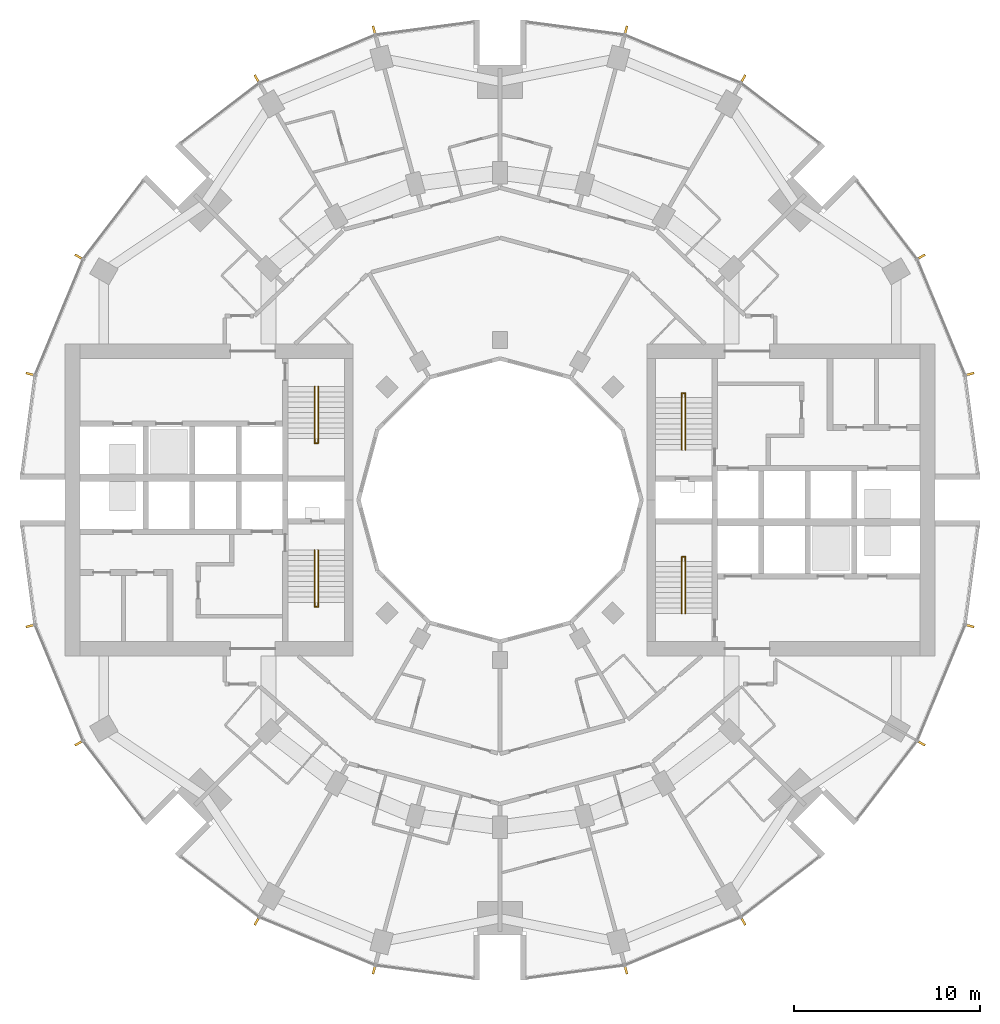
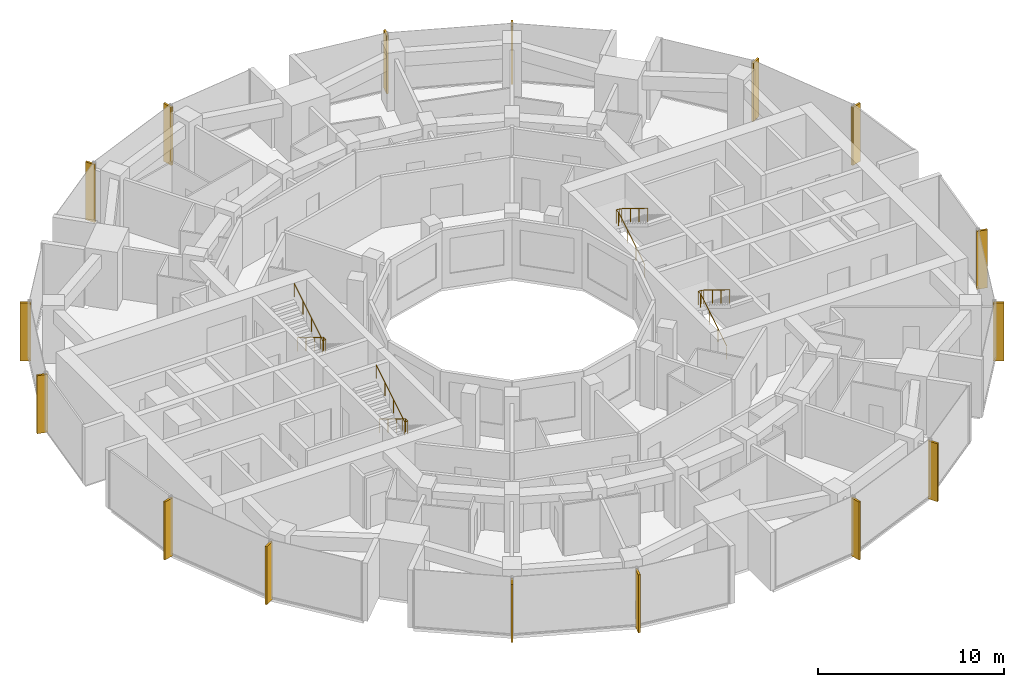
# One storey, part 14 of 15: 16 shading devices, 4 railings.
"""IFC4 building model written with IfcOpenShell, lengths in metres."""

from ifc_helpers import new_model, si_unit, direction, frame, origin, origin_2d, place, context, subcontext, project, spatial, rectangle, circle, extrude, material, material_profile, profile_set, type_object, element, save


model = new_model("IFC4")

# Units and contexts
model_context = context("Model", 3, precision=1e-05, world=origin(), true_north=direction((0.0, 1.0)))
body_context = subcontext(model_context, "Body", "Model", "MODEL_VIEW")
ifc_project = project(units=[si_unit("LENGTHUNIT", "METRE"), si_unit("AREAUNIT", "SQUARE_METRE"), si_unit("VOLUMEUNIT", "CUBIC_METRE"), si_unit("PLANEANGLEUNIT", "RADIAN"), si_unit("MASSUNIT", "GRAM", prefix="KILO")], contexts=[model_context])

# Site, building, storey
site_placement = place(None, origin())
site = spatial("IfcSite", under=ifc_project, at=site_placement, CompositionType="ELEMENT")
building_placement = place(site_placement, origin())
building = spatial("IfcBuilding", under=site, at=building_placement, Name="Torre Brocal", CompositionType="ELEMENT")
storey_placement = place(building_placement, frame((0.0, 0.0, 47.800048828125)))
storey = spatial("IfcBuildingStorey", under=building, at=storey_placement, Name="L10", CompositionType="ELEMENT", Elevation=47.800048828125)

# Shading devices
ifc_material_1 = material(Name="Aluminium, black anodised", Category="aluminium")
ifc_material_profile = material_profile(ifc_material_1, rectangle(XDim=0.1201171875, YDim=0.60009765625, at=origin_2d()), Name="FIN 120X600 3800 HIGH")
ifc_profile_set = profile_set([ifc_material_profile], Name="Aluminium, black anodised")
shading_device_type = type_object("IfcShadingDeviceType", Name="FIN 120X600 3800 HIGH", PredefinedType="USERDEFINED", material=ifc_profile_set)
for number, where, z_axis, x_axis, name in (
    (1, (105.208984375, 81.754638671875, -0.150146484375), (0.0, 0.0, 1.0), (-0.258819045103, 0.965925826289, 0.0), "FIN"),
    (2, (102.601806640625, 88.049072265625, -0.150146484375), (0.0, 0.0, 1.0), (-0.5, 0.866025403784, 0.0), "FIN"),
    (3, (93.049072265625, 97.601806640625, -0.150146484375), (0.0, 0.0, 1.0), (-0.866025403784, 0.5, 0.0), "FIN"),
    (4, (86.754638671875, 100.208984375, -0.150146484375), (0.0, 0.0, 1.0), (-0.965925826289, 0.258819045103, 0.0), "FIN"),
    (5, (73.245361328125, 100.208984375, -0.150146484375), (0.0, 0.0, 1.0), (-0.965925826289, -0.258819045103, 0.0), "FIN"),
    (6, (66.950927734375, 97.601806640625, -0.150146484375), (0.0, 0.0, 1.0), (-0.866025403784, -0.5, 0.0), "FIN"),
    (7, (57.398193359375, 88.049072265625, -0.150146484375), (0.0, 0.0, 1.0), (-0.5, -0.866025403784, 0.0), "FIN"),
    (8, (54.791015625, 81.754638671875, -0.150146484375), (0.0, 0.0, 1.0), (-0.258819045103, -0.965925826289, 0.0), "FIN"),
    (9, (54.791015625, 68.245361328125, -0.150146484375), (0.0, 0.0, 1.0), (0.258819045103, -0.965925826289, 0.0), "FIN"),
    (10, (57.398193359375, 61.950927734375, -0.150146484375), (0.0, 0.0, 1.0), (0.5, -0.866025403784, 0.0), "FIN"),
    (11, (66.950927734375, 52.398193359375, -0.150146484375), (0.0, 0.0, 1.0), (0.866025403784, -0.5, 0.0), "FIN"),
    (12, (73.245361328125, 49.791015625, -0.150146484375), (0.0, 0.0, 1.0), (0.965925826289, -0.258819045103, 0.0), "FIN"),
    (13, (86.754638671875, 49.791015625, -0.150146484375), (0.0, 0.0, 1.0), (0.965925826289, 0.258819045103, 0.0), "FIN"),
    (14, (93.049072265625, 52.398193359375, -0.150146484375), (0.0, 0.0, 1.0), (0.866025403784, 0.5, 0.0), "FIN"),
    (15, (102.601806640625, 61.950927734375, -0.150146484375), (0.0, 0.0, 1.0), (0.5, 0.866025403784, 0.0), "FIN"),
    (16, (105.208984375, 68.245361328125, -0.150146484375), (0.0, 0.0, 1.0), (0.258819045103, 0.965925826289, 0.0), "FIN"),
):
    element("IfcShadingDevice", number, at=place(storey_placement, frame(where, z_axis=z_axis, x_axis=x_axis)), inside=storey, type_object=shading_device_type, Name=name, ObjectType="FIN", PredefinedType="USERDEFINED", context=body_context, shape_type="SweptSolid", body=[
        extrude(rectangle(XDim=0.1201171875, YDim=0.60009765625, at=origin_2d()), origin(), (0.0, 0.0, 1.0), 3.800048828125),
    ])

# Railings
ifc_material_2 = material(Name="Stainless steel AISI 316", Category="steel")
railing_type = type_object("IfcRailingType", Name="STAIR HANDRAIL", PredefinedType="HANDRAIL", material=ifc_material_2)
railing_1_placement = place(storey_placement, frame((89.780029296875, 77.699951171875, 0.172607421875)))
element("IfcRailing", 17, at=railing_1_placement, inside=storey, type_object=railing_type, Name="HANDRAIL ST1", PredefinedType="HANDRAIL", context=body_context, shape_type="SweptSolid", body=[
    extrude(circle(Radius=0.02392578125, at=origin_2d()), frame((0.0, 0.0, 0.8759765625), z_axis=(0.0, 0.851089632645, 0.525020415988), x_axis=(-1.0, 0.0, 0.0)), (0.0, 0.0, 1.0), 3.2900390625),
    extrude(circle(Radius=0.02392578125, at=origin_2d()), frame((0.0, 2.800048828125, 2.60302734375), z_axis=(0.0, 1.0, 0.0), x_axis=(-1.0, 0.0, 0.0)), (0.0, 0.0, 1.0), 0.25),
    extrude(circle(Radius=0.02392578125, at=origin_2d()), frame((0.0, 3.050048828125, 2.60302734375), z_axis=(1.0, 0.0, 0.0), x_axis=(0.0, 1.0, 0.0)), (0.0, 0.0, 1.0), 0.18994140625),
    extrude(circle(Radius=0.02392578125, at=origin_2d()), frame((0.18994140625, 3.050048828125, 2.60302734375), z_axis=(0.0, -0.82253904752, 0.568708638324), x_axis=(1.0, 0.0, 0.0)), (0.0, 0.0, 1.0), 0.303955078125),
    extrude(circle(Radius=0.02392578125, at=origin_2d()), frame((0.18994140625, 2.800048828125, 2.77587890625), z_axis=(0.0, -0.851089632645, 0.525020415988), x_axis=(1.0, 0.0, 0.0)), (0.0, 0.0, 1.0), 3.2900390625),
    extrude(circle(Radius=0.02099609375, at=origin_2d()), origin(), (0.0, 0.0, 1.0), 0.851806640625),
    extrude(circle(Radius=0.02099609375, at=origin_2d()), frame((0.0, 0.933349609375, 0.57568359375)), (0.0, 0.0, 1.0), 0.851806640625),
    extrude(circle(Radius=0.02099609375, at=origin_2d()), frame((0.0, 1.86669921875, 1.151611328125)), (0.0, 0.0, 1.0), 0.851806640625),
    extrude(circle(Radius=0.02099609375, at=origin_2d()), frame((0.0, 2.800048828125, 1.727294921875)), (0.0, 0.0, 1.0), 0.851806640625),
    extrude(circle(Radius=0.02099609375, at=origin_2d()), frame((0.0, 3.050048828125, 1.727294921875)), (0.0, 0.0, 1.0), 0.851806640625),
    extrude(circle(Radius=0.02099609375, at=origin_2d()), frame((0.18994140625, 3.050048828125, 1.727294921875)), (0.0, 0.0, 1.0), 0.851806640625),
    extrude(circle(Radius=0.02099609375, at=origin_2d()), frame((0.18994140625, 2.800048828125, 1.900146484375)), (0.0, 0.0, 1.0), 0.851806640625),
    extrude(circle(Radius=0.02099609375, at=origin_2d()), frame((0.18994140625, 1.86669921875, 2.475830078125)), (0.0, 0.0, 1.0), 0.851806640625),
    extrude(circle(Radius=0.02099609375, at=origin_2d()), frame((0.18994140625, 0.933349609375, 3.0517578125)), (0.0, 0.0, 1.0), 0.851806640625),
    extrude(circle(Radius=0.02099609375, at=origin_2d()), frame((0.18994140625, 0.0, 3.62744140625)), (0.0, 0.0, 1.0), 0.851806640625),
])
railing_2_placement = place(storey_placement, frame((89.780029296875, 68.89990234375, 0.172607421875)))
element("IfcRailing", 18, at=railing_2_placement, inside=storey, type_object=railing_type, Name="HANDRAIL ST2", PredefinedType="HANDRAIL", context=body_context, shape_type="SweptSolid", body=[
    extrude(circle(Radius=0.02392578125, at=origin_2d()), frame((0.0, 0.0, 0.8759765625), z_axis=(0.0, 0.851089632645, 0.525020415988), x_axis=(-1.0, 0.0, 0.0)), (0.0, 0.0, 1.0), 3.2900390625),
    extrude(circle(Radius=0.02392578125, at=origin_2d()), frame((0.0, 2.800048828125, 2.60302734375), z_axis=(0.0, 1.0, 0.0), x_axis=(-1.0, 0.0, 0.0)), (0.0, 0.0, 1.0), 0.25),
    extrude(circle(Radius=0.02392578125, at=origin_2d()), frame((0.0, 3.050048828125, 2.60302734375), z_axis=(1.0, 0.0, 0.0), x_axis=(0.0, 1.0, 0.0)), (0.0, 0.0, 1.0), 0.18994140625),
    extrude(circle(Radius=0.02392578125, at=origin_2d()), frame((0.18994140625, 3.050048828125, 2.60302734375), z_axis=(0.0, -0.82253904752, 0.568708638324), x_axis=(1.0, 0.0, 0.0)), (0.0, 0.0, 1.0), 0.303955078125),
    extrude(circle(Radius=0.02392578125, at=origin_2d()), frame((0.18994140625, 2.800048828125, 2.77587890625), z_axis=(0.0, -0.851089632645, 0.525020415988), x_axis=(1.0, 0.0, 0.0)), (0.0, 0.0, 1.0), 3.2900390625),
    extrude(circle(Radius=0.02099609375, at=origin_2d()), origin(), (0.0, 0.0, 1.0), 0.851806640625),
    extrude(circle(Radius=0.02099609375, at=origin_2d()), frame((0.0, 0.933349609375, 0.57568359375)), (0.0, 0.0, 1.0), 0.851806640625),
    extrude(circle(Radius=0.02099609375, at=origin_2d()), frame((0.0, 1.86669921875, 1.151611328125)), (0.0, 0.0, 1.0), 0.851806640625),
    extrude(circle(Radius=0.02099609375, at=origin_2d()), frame((0.0, 2.800048828125, 1.727294921875)), (0.0, 0.0, 1.0), 0.851806640625),
    extrude(circle(Radius=0.02099609375, at=origin_2d()), frame((0.0, 3.050048828125, 1.727294921875)), (0.0, 0.0, 1.0), 0.851806640625),
    extrude(circle(Radius=0.02099609375, at=origin_2d()), frame((0.18994140625, 3.050048828125, 1.727294921875)), (0.0, 0.0, 1.0), 0.851806640625),
    extrude(circle(Radius=0.02099609375, at=origin_2d()), frame((0.18994140625, 2.800048828125, 1.900146484375)), (0.0, 0.0, 1.0), 0.851806640625),
    extrude(circle(Radius=0.02099609375, at=origin_2d()), frame((0.18994140625, 1.86669921875, 2.475830078125)), (0.0, 0.0, 1.0), 0.851806640625),
    extrude(circle(Radius=0.02099609375, at=origin_2d()), frame((0.18994140625, 0.933349609375, 3.0517578125)), (0.0, 0.0, 1.0), 0.851806640625),
    extrude(circle(Radius=0.02099609375, at=origin_2d()), frame((0.18994140625, 0.0, 3.62744140625)), (0.0, 0.0, 1.0), 0.851806640625),
])
railing_3_placement = place(storey_placement, frame((70.219970703125, 72.300048828125, 0.172607421875)))
element("IfcRailing", 19, at=railing_3_placement, inside=storey, type_object=railing_type, Name="HANDRAIL ST3", PredefinedType="HANDRAIL", context=body_context, shape_type="SweptSolid", body=[
    extrude(circle(Radius=0.02392578125, at=origin_2d()), frame((0.0, 0.0, 0.8759765625), z_axis=(0.0, -0.851089632645, 0.525020415988), x_axis=(1.0, 0.0, 0.0)), (0.0, 0.0, 1.0), 3.2900390625),
    extrude(circle(Radius=0.02392578125, at=origin_2d()), frame((0.0, -2.800048828125, 2.60302734375), z_axis=(0.0, -1.0, 0.0), x_axis=(1.0, 0.0, 0.0)), (0.0, 0.0, 1.0), 0.25),
    extrude(circle(Radius=0.02392578125, at=origin_2d()), frame((0.0, -3.050048828125, 2.60302734375), z_axis=(-1.0, 0.0, 0.0), x_axis=(0.0, -1.0, 0.0)), (0.0, 0.0, 1.0), 0.18994140625),
    extrude(circle(Radius=0.02392578125, at=origin_2d()), frame((-0.18994140625, -3.050048828125, 2.60302734375), z_axis=(0.0, 0.82253904752, 0.568708638324), x_axis=(-1.0, 0.0, 0.0)), (0.0, 0.0, 1.0), 0.303955078125),
    extrude(circle(Radius=0.02392578125, at=origin_2d()), frame((-0.18994140625, -2.800048828125, 2.77587890625), z_axis=(0.0, 0.851089632645, 0.525020415988), x_axis=(-1.0, 0.0, 0.0)), (0.0, 0.0, 1.0), 3.2900390625),
    extrude(circle(Radius=0.02099609375, at=origin_2d()), origin(), (0.0, 0.0, 1.0), 0.851806640625),
    extrude(circle(Radius=0.02099609375, at=origin_2d()), frame((0.0, -0.933349609375, 0.57568359375)), (0.0, 0.0, 1.0), 0.851806640625),
    extrude(circle(Radius=0.02099609375, at=origin_2d()), frame((0.0, -1.86669921875, 1.151611328125)), (0.0, 0.0, 1.0), 0.851806640625),
    extrude(circle(Radius=0.02099609375, at=origin_2d()), frame((0.0, -2.800048828125, 1.727294921875)), (0.0, 0.0, 1.0), 0.851806640625),
    extrude(circle(Radius=0.02099609375, at=origin_2d()), frame((0.0, -3.050048828125, 1.727294921875)), (0.0, 0.0, 1.0), 0.851806640625),
    extrude(circle(Radius=0.02099609375, at=origin_2d()), frame((-0.18994140625, -3.050048828125, 1.727294921875)), (0.0, 0.0, 1.0), 0.851806640625),
    extrude(circle(Radius=0.02099609375, at=origin_2d()), frame((-0.18994140625, -2.800048828125, 1.900146484375)), (0.0, 0.0, 1.0), 0.851806640625),
    extrude(circle(Radius=0.02099609375, at=origin_2d()), frame((-0.18994140625, -1.86669921875, 2.475830078125)), (0.0, 0.0, 1.0), 0.851806640625),
    extrude(circle(Radius=0.02099609375, at=origin_2d()), frame((-0.18994140625, -0.933349609375, 3.0517578125)), (0.0, 0.0, 1.0), 0.851806640625),
    extrude(circle(Radius=0.02099609375, at=origin_2d()), frame((-0.18994140625, 0.0, 3.62744140625)), (0.0, 0.0, 1.0), 0.851806640625),
])
railing_4_placement = place(storey_placement, frame((70.219970703125, 81.10009765625, 0.172607421875)))
element("IfcRailing", 20, at=railing_4_placement, inside=storey, type_object=railing_type, Name="HANDRAIL ST4", PredefinedType="HANDRAIL", context=body_context, shape_type="SweptSolid", body=[
    extrude(circle(Radius=0.02392578125, at=origin_2d()), frame((0.0, 0.0, 0.8759765625), z_axis=(0.0, -0.851089632645, 0.525020415988), x_axis=(1.0, 0.0, 0.0)), (0.0, 0.0, 1.0), 3.2900390625),
    extrude(circle(Radius=0.02392578125, at=origin_2d()), frame((0.0, -2.800048828125, 2.60302734375), z_axis=(0.0, -1.0, 0.0), x_axis=(1.0, 0.0, 0.0)), (0.0, 0.0, 1.0), 0.25),
    extrude(circle(Radius=0.02392578125, at=origin_2d()), frame((0.0, -3.050048828125, 2.60302734375), z_axis=(-1.0, 0.0, 0.0), x_axis=(0.0, -1.0, 0.0)), (0.0, 0.0, 1.0), 0.18994140625),
    extrude(circle(Radius=0.02392578125, at=origin_2d()), frame((-0.18994140625, -3.050048828125, 2.60302734375), z_axis=(0.0, 0.82253904752, 0.568708638324), x_axis=(-1.0, 0.0, 0.0)), (0.0, 0.0, 1.0), 0.303955078125),
    extrude(circle(Radius=0.02392578125, at=origin_2d()), frame((-0.18994140625, -2.800048828125, 2.77587890625), z_axis=(0.0, 0.851089632645, 0.525020415988), x_axis=(-1.0, 0.0, 0.0)), (0.0, 0.0, 1.0), 3.2900390625),
    extrude(circle(Radius=0.02099609375, at=origin_2d()), origin(), (0.0, 0.0, 1.0), 0.851806640625),
    extrude(circle(Radius=0.02099609375, at=origin_2d()), frame((0.0, -0.933349609375, 0.57568359375)), (0.0, 0.0, 1.0), 0.851806640625),
    extrude(circle(Radius=0.02099609375, at=origin_2d()), frame((0.0, -1.86669921875, 1.151611328125)), (0.0, 0.0, 1.0), 0.851806640625),
    extrude(circle(Radius=0.02099609375, at=origin_2d()), frame((0.0, -2.800048828125, 1.727294921875)), (0.0, 0.0, 1.0), 0.851806640625),
    extrude(circle(Radius=0.02099609375, at=origin_2d()), frame((0.0, -3.050048828125, 1.727294921875)), (0.0, 0.0, 1.0), 0.851806640625),
    extrude(circle(Radius=0.02099609375, at=origin_2d()), frame((-0.18994140625, -3.050048828125, 1.727294921875)), (0.0, 0.0, 1.0), 0.851806640625),
    extrude(circle(Radius=0.02099609375, at=origin_2d()), frame((-0.18994140625, -2.800048828125, 1.900146484375)), (0.0, 0.0, 1.0), 0.851806640625),
    extrude(circle(Radius=0.02099609375, at=origin_2d()), frame((-0.18994140625, -1.86669921875, 2.475830078125)), (0.0, 0.0, 1.0), 0.851806640625),
    extrude(circle(Radius=0.02099609375, at=origin_2d()), frame((-0.18994140625, -0.933349609375, 3.0517578125)), (0.0, 0.0, 1.0), 0.851806640625),
    extrude(circle(Radius=0.02099609375, at=origin_2d()), frame((-0.18994140625, 0.0, 3.62744140625)), (0.0, 0.0, 1.0), 0.851806640625),
])

save(model, "model.ifc")
